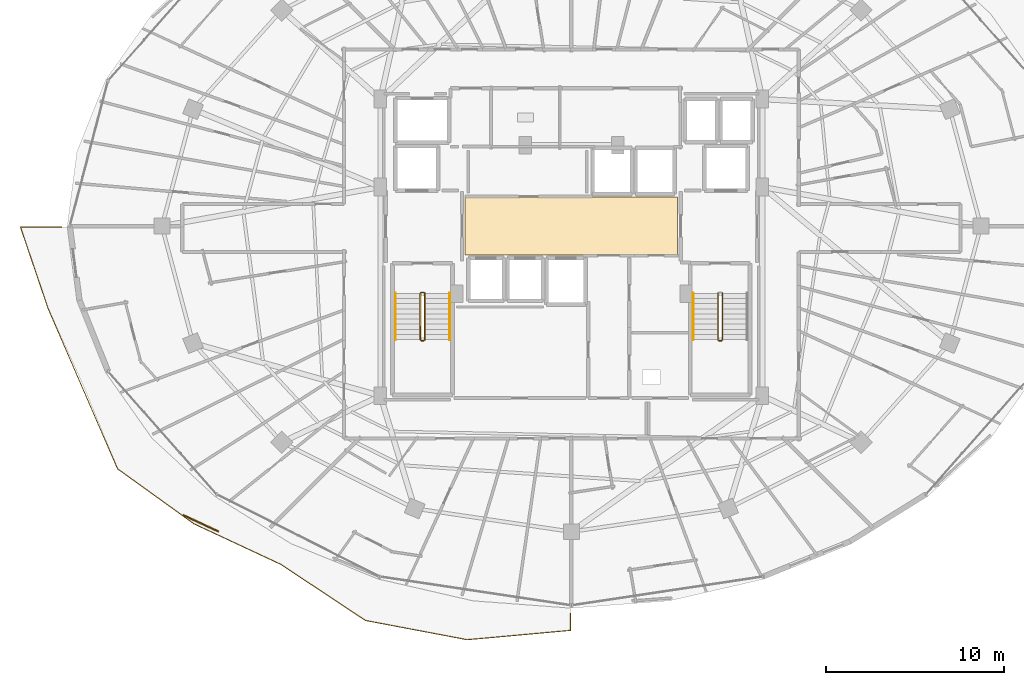
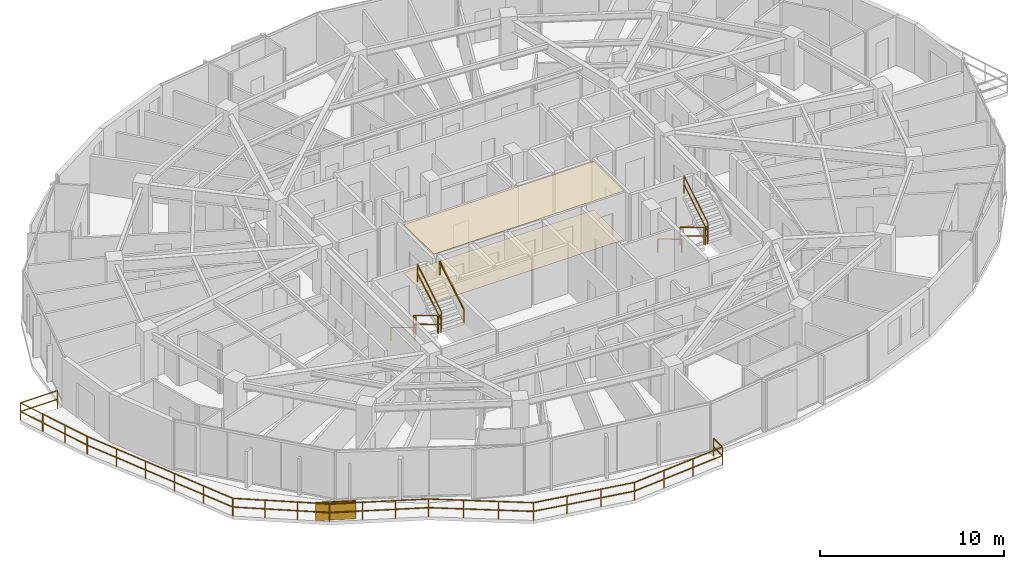
# One storey, part 31 of 33: 12 railings, 2 coverings, 1 shading device.
"""IFC4 building model written with IfcOpenShell, lengths in metres."""

from ifc_helpers import new_model, si_unit, direction, frame, origin, origin_2d, place, context, subcontext, project, spatial, polyline, rectangle, outline, extrude, material, layer, layer_set, type_object, element, save


model = new_model("IFC4")

# Units and contexts
model_context = context("Model", 3, precision=1e-05, world=origin(), true_north=direction((0.0, 1.0)))
body_context = subcontext(model_context, "Body", "Model", "MODEL_VIEW")
ifc_project = project(units=[si_unit("LENGTHUNIT", "METRE"), si_unit("AREAUNIT", "SQUARE_METRE"), si_unit("VOLUMEUNIT", "CUBIC_METRE"), si_unit("PLANEANGLEUNIT", "RADIAN"), si_unit("MASSUNIT", "GRAM", prefix="KILO")], contexts=[model_context])

# Site, building, storey
site_placement = place(None, origin())
site = spatial("IfcSite", under=ifc_project, at=site_placement, CompositionType="ELEMENT")
building_placement = place(site_placement, origin())
building = spatial("IfcBuilding", under=site, at=building_placement, Name="Vorneva Point Tower", CompositionType="ELEMENT")
storey_placement = place(building_placement, frame((0.0, 0.0, 179.10009765625)))
storey = spatial("IfcBuildingStorey", under=building, at=storey_placement, Name="L48", CompositionType="ELEMENT", Elevation=179.10009765625)

# Coverings
ifc_material_1 = material(Name="Perforated acoustic aluminium baffle ceiling", Category="aluminium")
ifc_layer_1 = layer(ifc_material_1, 0.030029296875)
ifc_layer_set_1 = layer_set([ifc_layer_1], Name="Perforated acoustic aluminium baffle ceiling")
covering_type_1 = type_object("IfcCoveringType", Name="COV-CEIL-BAF", PredefinedType="CEILING", material=ifc_layer_set_1)
covering_1_placement = place(storey_placement, frame((0.0, 0.0, 3.2099609375)))
element("IfcCovering", 1, at=covering_1_placement, inside=storey, type_object=covering_type_1, Name="L48 Lift Lobby Acoustic Baffle Ceiling", PredefinedType="CEILING", context=body_context, shape_type="SweptSolid", body=[
    extrude(outline(polyline([(32.02001953125, 24.3701171875), (43.97998046875, 24.3701171875), (43.97998046875, 27.6298828125), (32.02001953125, 27.6298828125), (32.02001953125, 24.3701171875)])), origin(), (0.0, 0.0, 1.0), 0.034912109375),
])
ifc_material_2 = material(Name="Acoustic wool hospitality carpet", Category="textile")
ifc_layer_2 = layer(ifc_material_2, 0.01806640625)
ifc_layer_set_2 = layer_set([ifc_layer_2], Name="Acoustic wool hospitality carpet")
covering_type_2 = type_object("IfcCoveringType", Name="COV-FLR-CRP", PredefinedType="FLOORING", material=ifc_layer_set_2)
covering_2_placement = place(storey_placement, frame((0.0, 0.0, -0.005126953125)))
element("IfcCovering", 2, at=covering_2_placement, inside=storey, type_object=covering_type_2, Name="L48 Lift Lobby Floor Finish", PredefinedType="FLOORING", context=body_context, shape_type="SweptSolid", body=[
    extrude(outline(polyline([(32.02001953125, 24.3701171875), (43.97998046875, 24.3701171875), (43.97998046875, 27.6298828125), (32.02001953125, 27.6298828125), (32.02001953125, 24.3701171875)])), origin(), (0.0, 0.0, 1.0), 0.02294921875),
])

# Railings
ifc_material_3 = material(Name="Pale anodised aluminium", Category="aluminium")
railing_type_1 = type_object("IfcRailingType", Name="RL-BAL-1200", PredefinedType="BALUSTRADE", material=ifc_material_3)
railing_1_placement = place(storey_placement, frame((37.949951171875, 3.24560546875, 0.0)))
element("IfcRailing", 3, at=railing_1_placement, inside=storey, type_object=railing_type_1, Name="L48 Wave Balcony Balustrade SW.1", PredefinedType="BALUSTRADE", context=body_context, shape_type="SweptSolid", body=[
    extrude(rectangle(XDim=0.048095703125, YDim=0.048095703125, at=origin_2d()), frame((0.0, 0.0, 1.17578125), z_axis=(0.0, 1.0, 0.0), x_axis=(-1.0, 0.0, 0.0)), (0.0, 0.0, 1.0), 0.937255859375),
    extrude(rectangle(XDim=0.048095703125, YDim=0.048095703125, at=origin_2d()), frame((0.0, 0.0, 0.60009765625), z_axis=(0.0, 1.0, 0.0), x_axis=(-1.0, 0.0, 0.0)), (0.0, 0.0, 1.0), 0.937255859375),
    extrude(rectangle(XDim=0.0419921875, YDim=0.0419921875, at=origin_2d()), origin(), (0.0, 0.0, 1.0), 1.15185546875),
    extrude(rectangle(XDim=0.0419921875, YDim=0.0419921875, at=origin_2d()), frame((0.0, 0.937255859375, 0.0)), (0.0, 0.0, 1.0), 1.15185546875),
])
railing_2_placement = place(storey_placement, frame((9.3037109375, 25.949951171875, 0.0)))
element("IfcRailing", 4, at=railing_2_placement, inside=storey, type_object=railing_type_1, Name="L48 Wave Balcony Balustrade SW.2", PredefinedType="BALUSTRADE", context=body_context, shape_type="SweptSolid", body=[
    extrude(rectangle(XDim=0.048095703125, YDim=0.048095703125, at=origin_2d()), frame((0.0, 0.0, 1.17578125), z_axis=(-1.0, 0.0, 0.0), x_axis=(0.0, -1.0, 0.0)), (0.0, 0.0, 1.0), 2.316650390625),
    extrude(rectangle(XDim=0.048095703125, YDim=0.048095703125, at=origin_2d()), frame((0.0, 0.0, 0.60009765625), z_axis=(-1.0, 0.0, 0.0), x_axis=(0.0, -1.0, 0.0)), (0.0, 0.0, 1.0), 2.316650390625),
    extrude(rectangle(XDim=0.048095703125, YDim=0.048095703125, at=origin_2d()), frame((-2.316650390625, 0.0, 1.17578125), z_axis=(0.321336027119, -0.946965235727, 0.0), x_axis=(0.946965235727, 0.321336027119, 0.0)), (0.0, 0.0, 1.0), 4.82763671875),
    extrude(rectangle(XDim=0.048095703125, YDim=0.048095703125, at=origin_2d()), frame((-2.316650390625, 0.0, 0.60009765625), z_axis=(0.321336027119, -0.946965235727, 0.0), x_axis=(0.946965235727, 0.321336027119, 0.0)), (0.0, 0.0, 1.0), 4.82763671875),
    extrude(rectangle(XDim=0.048095703125, YDim=0.048095703125, at=origin_2d()), frame((-0.765380859375, -4.571533203125, 1.17578125), z_axis=(0.397549720287, -0.917580634004, 0.0), x_axis=(0.917580634004, 0.397549720287, 0.0)), (0.0, 0.0, 1.0), 9.852783203125),
    extrude(rectangle(XDim=0.048095703125, YDim=0.048095703125, at=origin_2d()), frame((-0.765380859375, -4.571533203125, 0.60009765625), z_axis=(0.397549720287, -0.917580634004, 0.0), x_axis=(0.917580634004, 0.397549720287, 0.0)), (0.0, 0.0, 1.0), 9.852783203125),
    extrude(rectangle(XDim=0.048095703125, YDim=0.048095703125, at=origin_2d()), frame((3.151611328125, -13.6123046875, 1.17578125), z_axis=(0.81161999727, -0.584185741037, 0.0), x_axis=(0.584185741037, 0.81161999727, 0.0)), (0.0, 0.0, 1.0), 5.297607421875),
    extrude(rectangle(XDim=0.048095703125, YDim=0.048095703125, at=origin_2d()), frame((3.151611328125, -13.6123046875, 0.60009765625), z_axis=(0.81161999727, -0.584185741037, 0.0), x_axis=(0.584185741037, 0.81161999727, 0.0)), (0.0, 0.0, 1.0), 5.297607421875),
    extrude(rectangle(XDim=0.048095703125, YDim=0.048095703125, at=origin_2d()), frame((7.451171875, -16.70703125, 1.17578125), z_axis=(0.906147303007, -0.422962250388, 0.0), x_axis=(0.422962250388, 0.906147303007, 0.0)), (0.0, 0.0, 1.0), 5.395751953125),
    extrude(rectangle(XDim=0.048095703125, YDim=0.048095703125, at=origin_2d()), frame((7.451171875, -16.70703125, 0.60009765625), z_axis=(0.906147303007, -0.422962250388, 0.0), x_axis=(0.422962250388, 0.906147303007, 0.0)), (0.0, 0.0, 1.0), 5.395751953125),
    extrude(rectangle(XDim=0.048095703125, YDim=0.048095703125, at=origin_2d()), frame((12.340576171875, -18.9892578125, 1.17578125), z_axis=(0.833539327293, -0.552460125127, 0.0), x_axis=(0.552460125127, 0.833539327293, 0.0)), (0.0, 0.0, 1.0), 5.71435546875),
    extrude(rectangle(XDim=0.048095703125, YDim=0.048095703125, at=origin_2d()), frame((12.340576171875, -18.9892578125, 0.60009765625), z_axis=(0.833539327293, -0.552460125127, 0.0), x_axis=(0.552460125127, 0.833539327293, 0.0)), (0.0, 0.0, 1.0), 5.71435546875),
    extrude(rectangle(XDim=0.048095703125, YDim=0.048095703125, at=origin_2d()), frame((17.103759765625, -22.146240234375, 1.17578125), z_axis=(0.98255245371, -0.185985686837, 0.0), x_axis=(0.185985686837, 0.98255245371, 0.0)), (0.0, 0.0, 1.0), 5.826904296875),
    extrude(rectangle(XDim=0.048095703125, YDim=0.048095703125, at=origin_2d()), frame((17.103759765625, -22.146240234375, 0.60009765625), z_axis=(0.98255245371, -0.185985686837, 0.0), x_axis=(0.185985686837, 0.98255245371, 0.0)), (0.0, 0.0, 1.0), 5.826904296875),
    extrude(rectangle(XDim=0.048095703125, YDim=0.048095703125, at=origin_2d()), frame((22.8291015625, -23.22998046875, 1.17578125), z_axis=(0.995942395005, 0.089993032125, 0.0), x_axis=(-0.089993032125, 0.995942395005, 0.0)), (0.0, 0.0, 1.0), 5.8408203125),
    extrude(rectangle(XDim=0.048095703125, YDim=0.048095703125, at=origin_2d()), frame((22.8291015625, -23.22998046875, 0.60009765625), z_axis=(0.995942395005, 0.089993032125, 0.0), x_axis=(-0.089993032125, 0.995942395005, 0.0)), (0.0, 0.0, 1.0), 5.8408203125),
    extrude(rectangle(XDim=0.0419921875, YDim=0.0419921875, at=origin_2d()), origin(), (0.0, 0.0, 1.0), 1.15185546875),
    extrude(rectangle(XDim=0.0419921875, YDim=0.0419921875, at=origin_2d()), frame((-2.316650390625, 0.0, 0.0)), (0.0, 0.0, 1.0), 1.15185546875),
    extrude(rectangle(XDim=0.0419921875, YDim=0.0419921875, at=origin_2d()), frame((-1.799560546875, -1.52392578125, 0.0)), (0.0, 0.0, 1.0), 1.15185546875),
    extrude(rectangle(XDim=0.0419921875, YDim=0.0419921875, at=origin_2d()), frame((-1.282470703125, -3.047607421875, 0.0)), (0.0, 0.0, 1.0), 1.15185546875),
    extrude(rectangle(XDim=0.0419921875, YDim=0.0419921875, at=origin_2d()), frame((-0.765380859375, -4.571533203125, 0.0)), (0.0, 0.0, 1.0), 1.15185546875),
    extrude(rectangle(XDim=0.0419921875, YDim=0.0419921875, at=origin_2d()), frame((0.01806640625, -6.379638671875, 0.0)), (0.0, 0.0, 1.0), 1.15185546875),
    extrude(rectangle(XDim=0.0419921875, YDim=0.0419921875, at=origin_2d()), frame((0.801513671875, -8.187744140625, 0.0)), (0.0, 0.0, 1.0), 1.15185546875),
    extrude(rectangle(XDim=0.0419921875, YDim=0.0419921875, at=origin_2d()), frame((1.584716796875, -9.99609375, 0.0)), (0.0, 0.0, 1.0), 1.15185546875),
    extrude(rectangle(XDim=0.0419921875, YDim=0.0419921875, at=origin_2d()), frame((2.3681640625, -11.80419921875, 0.0)), (0.0, 0.0, 1.0), 1.15185546875),
    extrude(rectangle(XDim=0.0419921875, YDim=0.0419921875, at=origin_2d()), frame((3.151611328125, -13.6123046875, 0.0)), (0.0, 0.0, 1.0), 1.15185546875),
    extrude(rectangle(XDim=0.0419921875, YDim=0.0419921875, at=origin_2d()), frame((4.584716796875, -14.643798828125, 0.0)), (0.0, 0.0, 1.0), 1.15185546875),
    extrude(rectangle(XDim=0.0419921875, YDim=0.0419921875, at=origin_2d()), frame((6.01806640625, -15.675537109375, 0.0)), (0.0, 0.0, 1.0), 1.15185546875),
    extrude(rectangle(XDim=0.0419921875, YDim=0.0419921875, at=origin_2d()), frame((7.451171875, -16.70703125, 0.0)), (0.0, 0.0, 1.0), 1.15185546875),
    extrude(rectangle(XDim=0.0419921875, YDim=0.0419921875, at=origin_2d()), frame((9.0810546875, -17.4677734375, 0.0)), (0.0, 0.0, 1.0), 1.15185546875),
    extrude(rectangle(XDim=0.0419921875, YDim=0.0419921875, at=origin_2d()), frame((10.710693359375, -18.228515625, 0.0)), (0.0, 0.0, 1.0), 1.15185546875),
    extrude(rectangle(XDim=0.0419921875, YDim=0.0419921875, at=origin_2d()), frame((12.340576171875, -18.9892578125, 0.0)), (0.0, 0.0, 1.0), 1.15185546875),
    extrude(rectangle(XDim=0.0419921875, YDim=0.0419921875, at=origin_2d()), frame((13.92822265625, -20.04150390625, 0.0)), (0.0, 0.0, 1.0), 1.15185546875),
    extrude(rectangle(XDim=0.0419921875, YDim=0.0419921875, at=origin_2d()), frame((15.51611328125, -21.093994140625, 0.0)), (0.0, 0.0, 1.0), 1.15185546875),
    extrude(rectangle(XDim=0.0419921875, YDim=0.0419921875, at=origin_2d()), frame((17.103759765625, -22.146240234375, 0.0)), (0.0, 0.0, 1.0), 1.15185546875),
    extrude(rectangle(XDim=0.0419921875, YDim=0.0419921875, at=origin_2d()), frame((19.01220703125, -22.507568359375, 0.0)), (0.0, 0.0, 1.0), 1.15185546875),
    extrude(rectangle(XDim=0.0419921875, YDim=0.0419921875, at=origin_2d()), frame((20.920654296875, -22.86865234375, 0.0)), (0.0, 0.0, 1.0), 1.15185546875),
    extrude(rectangle(XDim=0.0419921875, YDim=0.0419921875, at=origin_2d()), frame((22.8291015625, -23.22998046875, 0.0)), (0.0, 0.0, 1.0), 1.15185546875),
    extrude(rectangle(XDim=0.0419921875, YDim=0.0419921875, at=origin_2d()), frame((24.76806640625, -23.0546875, 0.0)), (0.0, 0.0, 1.0), 1.15185546875),
    extrude(rectangle(XDim=0.0419921875, YDim=0.0419921875, at=origin_2d()), frame((26.707275390625, -22.879638671875, 0.0)), (0.0, 0.0, 1.0), 1.15185546875),
    extrude(rectangle(XDim=0.0419921875, YDim=0.0419921875, at=origin_2d()), frame((28.646240234375, -22.704345703125, 0.0)), (0.0, 0.0, 1.0), 1.15185546875),
])
ifc_material_4 = material(Name="Brushed stainless steel S304", Category="steel")
railing_type_2 = type_object("IfcRailingType", Name="RL-HND-920", PredefinedType="HANDRAIL", material=ifc_material_4)
railing_3_placement = place(storey_placement, frame((28.10009765625, 22.219970703125, 0.1748046875)))
element("IfcRailing", 5, at=railing_3_placement, inside=storey, type_object=railing_type_2, Name="L48 ST1 stair handrail 1", PredefinedType="HANDRAIL", context=body_context, shape_type="SweptSolid", body=[
    extrude(rectangle(XDim=0.048095703125, YDim=0.048095703125, at=origin_2d()), frame((0.0, 0.0, 0.8759765625), z_axis=(0.0, -0.856147343639, 0.516731773728), x_axis=(1.0, 0.0, 0.0)), (0.0, 0.0, 1.0), 3.04833984375),
    extrude(rectangle(XDim=0.0419921875, YDim=0.0419921875, at=origin_2d()), origin(), (0.0, 0.0, 1.0), 0.851806640625),
    extrude(rectangle(XDim=0.0419921875, YDim=0.0419921875, at=origin_2d()), frame((0.0, -2.60986328125, 1.5751953125)), (0.0, 0.0, 1.0), 0.851806640625),
])
railing_4_placement = place(storey_placement, frame((31.14990234375, 19.610107421875, 1.9248046875)))
element("IfcRailing", 6, at=railing_4_placement, inside=storey, type_object=railing_type_2, Name="L48 ST1 stair handrail 2", PredefinedType="HANDRAIL", context=body_context, shape_type="SweptSolid", body=[
    extrude(rectangle(XDim=0.048095703125, YDim=0.048095703125, at=origin_2d()), frame((0.0, 0.0, 0.8759765625), z_axis=(0.0, 0.856147343639, 0.516731773728), x_axis=(-1.0, 0.0, 0.0)), (0.0, 0.0, 1.0), 3.04833984375),
    extrude(rectangle(XDim=0.0419921875, YDim=0.0419921875, at=origin_2d()), origin(), (0.0, 0.0, 1.0), 0.851806640625),
    extrude(rectangle(XDim=0.0419921875, YDim=0.0419921875, at=origin_2d()), frame((0.0, 2.60986328125, 1.5751953125)), (0.0, 0.0, 1.0), 0.851806640625),
])
railing_5_placement = place(storey_placement, frame((44.85009765625, 22.219970703125, 0.1748046875)))
element("IfcRailing", 7, at=railing_5_placement, inside=storey, type_object=railing_type_2, Name="L48 ST2 stair handrail 1", PredefinedType="HANDRAIL", context=body_context, shape_type="SweptSolid", body=[
    extrude(rectangle(XDim=0.048095703125, YDim=0.048095703125, at=origin_2d()), frame((0.0, 0.0, 0.8759765625), z_axis=(0.0, -0.856147343639, 0.516731773728), x_axis=(1.0, 0.0, 0.0)), (0.0, 0.0, 1.0), 3.04833984375),
    extrude(rectangle(XDim=0.0419921875, YDim=0.0419921875, at=origin_2d()), origin(), (0.0, 0.0, 1.0), 0.851806640625),
    extrude(rectangle(XDim=0.0419921875, YDim=0.0419921875, at=origin_2d()), frame((0.0, -2.60986328125, 1.5751953125)), (0.0, 0.0, 1.0), 0.851806640625),
])
railing_type_3 = type_object("IfcRailingType", Name="RL-STG-1100", PredefinedType="GUARDRAIL", material=ifc_material_4)
railing_6_placement = place(storey_placement, frame((29.5, 22.219970703125, 0.1748046875)))
element("IfcRailing", 8, at=railing_6_placement, inside=storey, type_object=railing_type_3, Name="L48 ST1 stair guard 1", PredefinedType="GUARDRAIL", context=body_context, shape_type="SweptSolid", body=[
    extrude(rectangle(XDim=0.048095703125, YDim=0.048095703125, at=origin_2d()), frame((0.0, 0.0, 1.17578125), z_axis=(0.0, -0.856147343639, 0.516731773728), x_axis=(1.0, 0.0, 0.0)), (0.0, 0.0, 1.0), 3.04833984375),
    extrude(rectangle(XDim=0.048095703125, YDim=0.048095703125, at=origin_2d()), frame((0.0, 0.0, 0.60009765625), z_axis=(0.0, -0.856147343639, 0.516731773728), x_axis=(1.0, 0.0, 0.0)), (0.0, 0.0, 1.0), 3.04833984375),
    extrude(rectangle(XDim=0.0419921875, YDim=0.0419921875, at=origin_2d()), origin(), (0.0, 0.0, 1.0), 1.15185546875),
    extrude(rectangle(XDim=0.0419921875, YDim=0.0419921875, at=origin_2d()), frame((0.0, -2.60986328125, 1.5751953125)), (0.0, 0.0, 1.0), 1.15185546875),
])
railing_7_placement = place(storey_placement, frame((29.550048828125, 19.56005859375, 1.75)))
element("IfcRailing", 9, at=railing_7_placement, inside=storey, type_object=railing_type_3, Name="L48 ST1 stair guard 2", PredefinedType="GUARDRAIL", context=body_context, shape_type="SweptSolid", body=[
    extrude(rectangle(XDim=0.048095703125, YDim=0.048095703125, at=origin_2d()), frame((0.0, 0.0, 1.17578125), z_axis=(1.0, 0.0, 0.0), x_axis=(0.0, 1.0, 0.0)), (0.0, 0.0, 1.0), 0.14990234375),
    extrude(rectangle(XDim=0.048095703125, YDim=0.048095703125, at=origin_2d()), frame((0.0, 0.0, 0.60009765625), z_axis=(1.0, 0.0, 0.0), x_axis=(0.0, 1.0, 0.0)), (0.0, 0.0, 1.0), 0.14990234375),
    extrude(rectangle(XDim=0.0419921875, YDim=0.0419921875, at=origin_2d()), origin(), (0.0, 0.0, 1.0), 1.15185546875),
    extrude(rectangle(XDim=0.0419921875, YDim=0.0419921875, at=origin_2d()), frame((0.14990234375, 0.0, 0.0)), (0.0, 0.0, 1.0), 1.15185546875),
])
railing_8_placement = place(storey_placement, frame((29.75, 19.610107421875, 1.9248046875)))
element("IfcRailing", 10, at=railing_8_placement, inside=storey, type_object=railing_type_3, Name="L48 ST1 stair guard 3", PredefinedType="GUARDRAIL", context=body_context, shape_type="SweptSolid", body=[
    extrude(rectangle(XDim=0.048095703125, YDim=0.048095703125, at=origin_2d()), frame((0.0, 0.0, 1.17578125), z_axis=(0.0, 0.856147343639, 0.516731773728), x_axis=(-1.0, 0.0, 0.0)), (0.0, 0.0, 1.0), 3.04833984375),
    extrude(rectangle(XDim=0.048095703125, YDim=0.048095703125, at=origin_2d()), frame((0.0, 0.0, 0.60009765625), z_axis=(0.0, 0.856147343639, 0.516731773728), x_axis=(-1.0, 0.0, 0.0)), (0.0, 0.0, 1.0), 3.04833984375),
    extrude(rectangle(XDim=0.0419921875, YDim=0.0419921875, at=origin_2d()), origin(), (0.0, 0.0, 1.0), 1.15185546875),
    extrude(rectangle(XDim=0.0419921875, YDim=0.0419921875, at=origin_2d()), frame((0.0, 2.60986328125, 1.5751953125)), (0.0, 0.0, 1.0), 1.15185546875),
])
railing_9_placement = place(storey_placement, frame((29.550048828125, 22.27001953125, 0.0)))
element("IfcRailing", 11, at=railing_9_placement, inside=storey, type_object=railing_type_3, Name="L48 ST1 stair guard 4", PredefinedType="GUARDRAIL", context=body_context, shape_type="SweptSolid", body=[
    extrude(rectangle(XDim=0.048095703125, YDim=0.048095703125, at=origin_2d()), frame((0.0, 0.0, 1.17578125), z_axis=(1.0, 0.0, 0.0), x_axis=(0.0, 1.0, 0.0)), (0.0, 0.0, 1.0), 0.14990234375),
    extrude(rectangle(XDim=0.048095703125, YDim=0.048095703125, at=origin_2d()), frame((0.0, 0.0, 0.60009765625), z_axis=(1.0, 0.0, 0.0), x_axis=(0.0, 1.0, 0.0)), (0.0, 0.0, 1.0), 0.14990234375),
    extrude(rectangle(XDim=0.0419921875, YDim=0.0419921875, at=origin_2d()), origin(), (0.0, 0.0, 1.0), 1.15185546875),
    extrude(rectangle(XDim=0.0419921875, YDim=0.0419921875, at=origin_2d()), frame((0.14990234375, 0.0, 0.0)), (0.0, 0.0, 1.0), 1.15185546875),
])
railing_10_placement = place(storey_placement, frame((46.25, 22.219970703125, 0.1748046875)))
element("IfcRailing", 12, at=railing_10_placement, inside=storey, type_object=railing_type_3, Name="L48 ST2 stair guard 1", PredefinedType="GUARDRAIL", context=body_context, shape_type="SweptSolid", body=[
    extrude(rectangle(XDim=0.048095703125, YDim=0.048095703125, at=origin_2d()), frame((0.0, 0.0, 1.17578125), z_axis=(0.0, -0.856147343639, 0.516731773728), x_axis=(1.0, 0.0, 0.0)), (0.0, 0.0, 1.0), 3.04833984375),
    extrude(rectangle(XDim=0.048095703125, YDim=0.048095703125, at=origin_2d()), frame((0.0, 0.0, 0.60009765625), z_axis=(0.0, -0.856147343639, 0.516731773728), x_axis=(1.0, 0.0, 0.0)), (0.0, 0.0, 1.0), 3.04833984375),
    extrude(rectangle(XDim=0.0419921875, YDim=0.0419921875, at=origin_2d()), origin(), (0.0, 0.0, 1.0), 1.15185546875),
    extrude(rectangle(XDim=0.0419921875, YDim=0.0419921875, at=origin_2d()), frame((0.0, -2.60986328125, 1.5751953125)), (0.0, 0.0, 1.0), 1.15185546875),
])
railing_11_placement = place(storey_placement, frame((46.300048828125, 19.56005859375, 1.75)))
element("IfcRailing", 13, at=railing_11_placement, inside=storey, type_object=railing_type_3, Name="L48 ST2 stair guard 2", PredefinedType="GUARDRAIL", context=body_context, shape_type="SweptSolid", body=[
    extrude(rectangle(XDim=0.048095703125, YDim=0.048095703125, at=origin_2d()), frame((0.0, 0.0, 1.17578125), z_axis=(1.0, 0.0, 0.0), x_axis=(0.0, 1.0, 0.0)), (0.0, 0.0, 1.0), 0.14990234375),
    extrude(rectangle(XDim=0.048095703125, YDim=0.048095703125, at=origin_2d()), frame((0.0, 0.0, 0.60009765625), z_axis=(1.0, 0.0, 0.0), x_axis=(0.0, 1.0, 0.0)), (0.0, 0.0, 1.0), 0.14990234375),
    extrude(rectangle(XDim=0.0419921875, YDim=0.0419921875, at=origin_2d()), origin(), (0.0, 0.0, 1.0), 1.15185546875),
    extrude(rectangle(XDim=0.0419921875, YDim=0.0419921875, at=origin_2d()), frame((0.14990234375, 0.0, 0.0)), (0.0, 0.0, 1.0), 1.15185546875),
])
railing_12_placement = place(storey_placement, frame((46.5, 19.610107421875, 1.9248046875)))
element("IfcRailing", 14, at=railing_12_placement, inside=storey, type_object=railing_type_3, Name="L48 ST2 stair guard 3", PredefinedType="GUARDRAIL", context=body_context, shape_type="SweptSolid", body=[
    extrude(rectangle(XDim=0.048095703125, YDim=0.048095703125, at=origin_2d()), frame((0.0, 0.0, 1.17578125), z_axis=(0.0, 0.856147343639, 0.516731773728), x_axis=(-1.0, 0.0, 0.0)), (0.0, 0.0, 1.0), 3.04833984375),
    extrude(rectangle(XDim=0.048095703125, YDim=0.048095703125, at=origin_2d()), frame((0.0, 0.0, 0.60009765625), z_axis=(0.0, 0.856147343639, 0.516731773728), x_axis=(-1.0, 0.0, 0.0)), (0.0, 0.0, 1.0), 3.04833984375),
    extrude(rectangle(XDim=0.0419921875, YDim=0.0419921875, at=origin_2d()), origin(), (0.0, 0.0, 1.0), 1.15185546875),
    extrude(rectangle(XDim=0.0419921875, YDim=0.0419921875, at=origin_2d()), frame((0.0, 2.60986328125, 1.5751953125)), (0.0, 0.0, 1.0), 1.15185546875),
])

# Shading device
shading_device_type = type_object("IfcShadingDeviceType", Name="SHD-JAL-1200", PredefinedType="JALOUSIE", material=ifc_material_3)
shading_device_placement = place(storey_placement, frame((17.144775390625, 9.278564453125, -0.02001953125), z_axis=(0.0, 0.0, 1.0), x_axis=(0.906145446467, -0.422966227786, 0.0)))
element("IfcShadingDevice", 15, at=shading_device_placement, inside=storey, type_object=shading_device_type, Name="L48 Balcony Vertical-Greenery Planter Screen SW.2", PredefinedType="JALOUSIE", context=body_context, shape_type="SweptSolid", body=[
    extrude(rectangle(XDim=2.199951171875, YDim=0.080078125, at=origin_2d()), origin(), (0.0, 0.0, 1.0), 1.199951171875),
])

save(model, "model.ifc")
